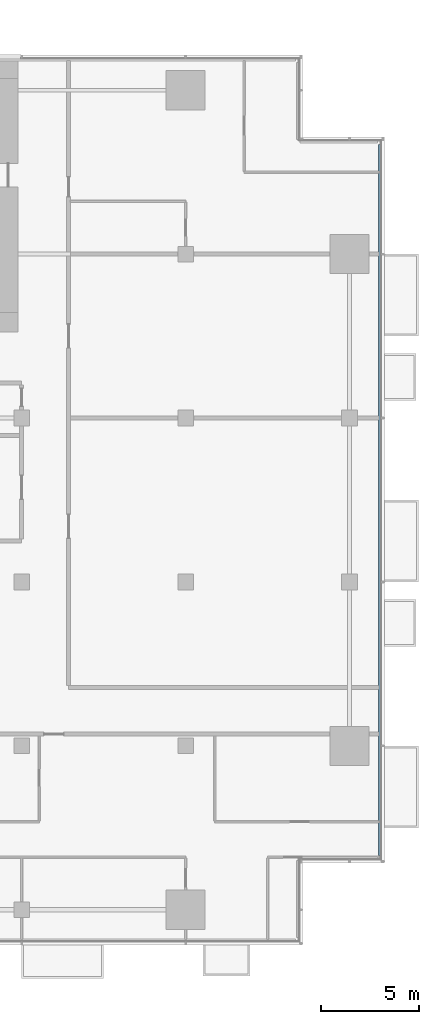
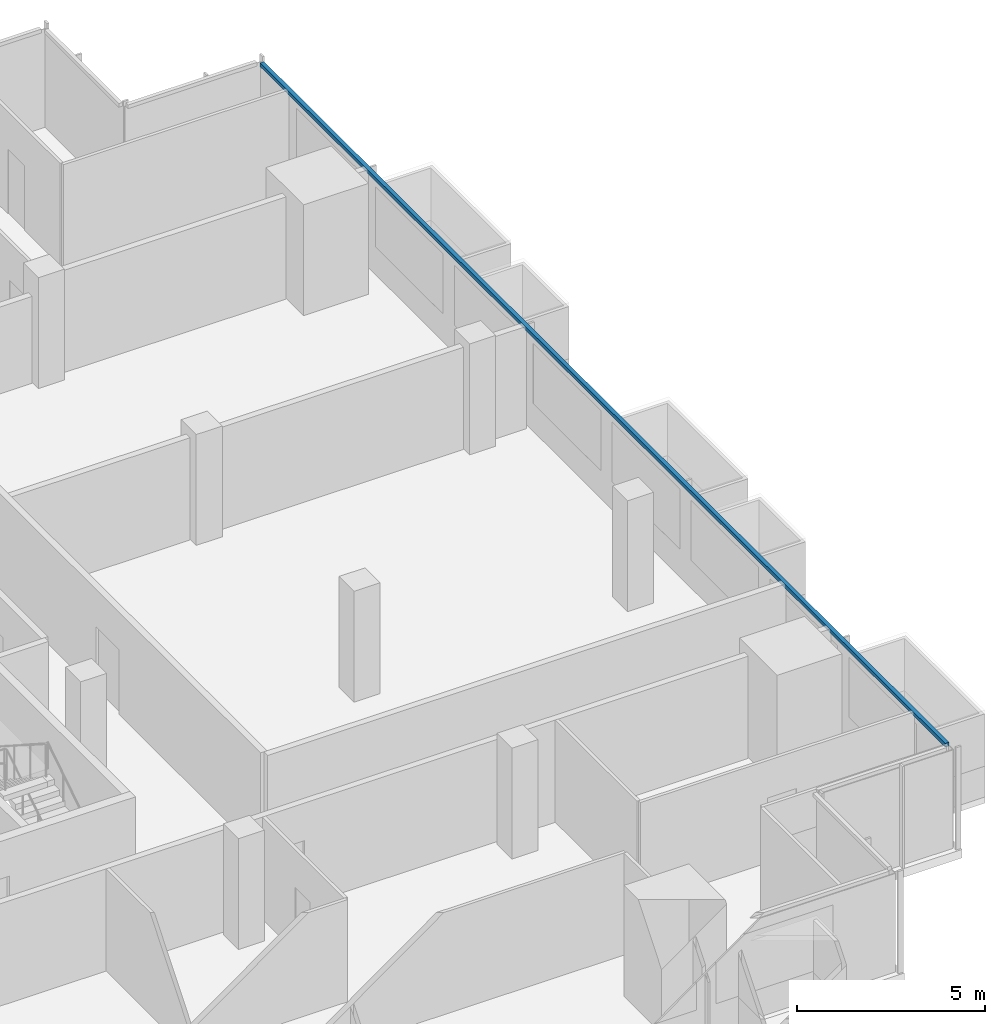
# One storey, part 12 of 26: 1 member, 1 element without a shape of its own.
"""IFC4 building model written with IfcOpenShell, lengths in metres."""

from ifc_helpers import new_model, si_unit, direction, frame, origin, origin_2d, place, context, subcontext, project, spatial, rectangle, extrude, material, material_profile, profile_set, type_object, element, aggregate, save


model = new_model("IFC4")

# Units and contexts
model_context = context("Model", 3, precision=1e-05, world=origin(), true_north=direction((0.0, 1.0)))
body_context = subcontext(model_context, "Body", "Model", "MODEL_VIEW")
ifc_project = project(units=[si_unit("LENGTHUNIT", "METRE"), si_unit("AREAUNIT", "SQUARE_METRE"), si_unit("VOLUMEUNIT", "CUBIC_METRE"), si_unit("PLANEANGLEUNIT", "RADIAN"), si_unit("MASSUNIT", "GRAM", prefix="KILO")], contexts=[model_context])

# Site, building, storey
site_placement = place(None, origin())
site = spatial("IfcSite", under=ifc_project, at=site_placement, CompositionType="ELEMENT")
building_placement = place(site_placement, origin())
building = spatial("IfcBuilding", under=site, at=building_placement, Name="Saffron Gate Tower", CompositionType="ELEMENT")
storey_placement = place(building_placement, frame((0.0, 0.0, 98.85009765625)))
storey = spatial("IfcBuildingStorey", under=building, at=storey_placement, Name="L22", CompositionType="ELEMENT", Elevation=98.85009765625)

# Curtain wall, member
ifc_material = material(Name="Aluminium, bronze anodised", Category="aluminium")
curtain_wall_type = type_object("IfcCurtainWallType", Name="CWS2 curtain wall side facades", PredefinedType="NOTDEFINED", material=ifc_material)
curtain_wall_placement = place(storey_placement, origin())
curtain_wall = element("IfcCurtainWall", 1, at=curtain_wall_placement, inside=storey, type_object=curtain_wall_type, Name="CWS2 run 4", PredefinedType="NOTDEFINED")
ifc_material_profile = material_profile(ifc_material, rectangle(XDim=0.1201171875, YDim=0.1201171875, at=origin_2d()))
ifc_profile_set = profile_set([ifc_material_profile], Name="Aluminium, bronze anodised")
member_type = type_object("IfcMemberType", Name="CWS2 head transom", PredefinedType="USERDEFINED", material=ifc_profile_set)
member_placement = place(storey_placement, frame((126.951904296875, 34.568115234375, 3.260009765625), z_axis=(0.0, 1.0, 0.0), x_axis=(-1.0, 0.0, 0.0)))
member = element("IfcMember", 2, at=member_placement, type_object=member_type, Name="CWS2 head transom", ObjectType="TRANSOM", PredefinedType="USERDEFINED", context=body_context, shape_type="SweptSolid", body=[
    extrude(rectangle(XDim=0.1201171875, YDim=0.1201171875, at=origin_2d()), origin(), (0.0, 0.0, 1.0), 36.4638671875),
])
aggregate(curtain_wall, [member])

save(model, "model.ifc")
